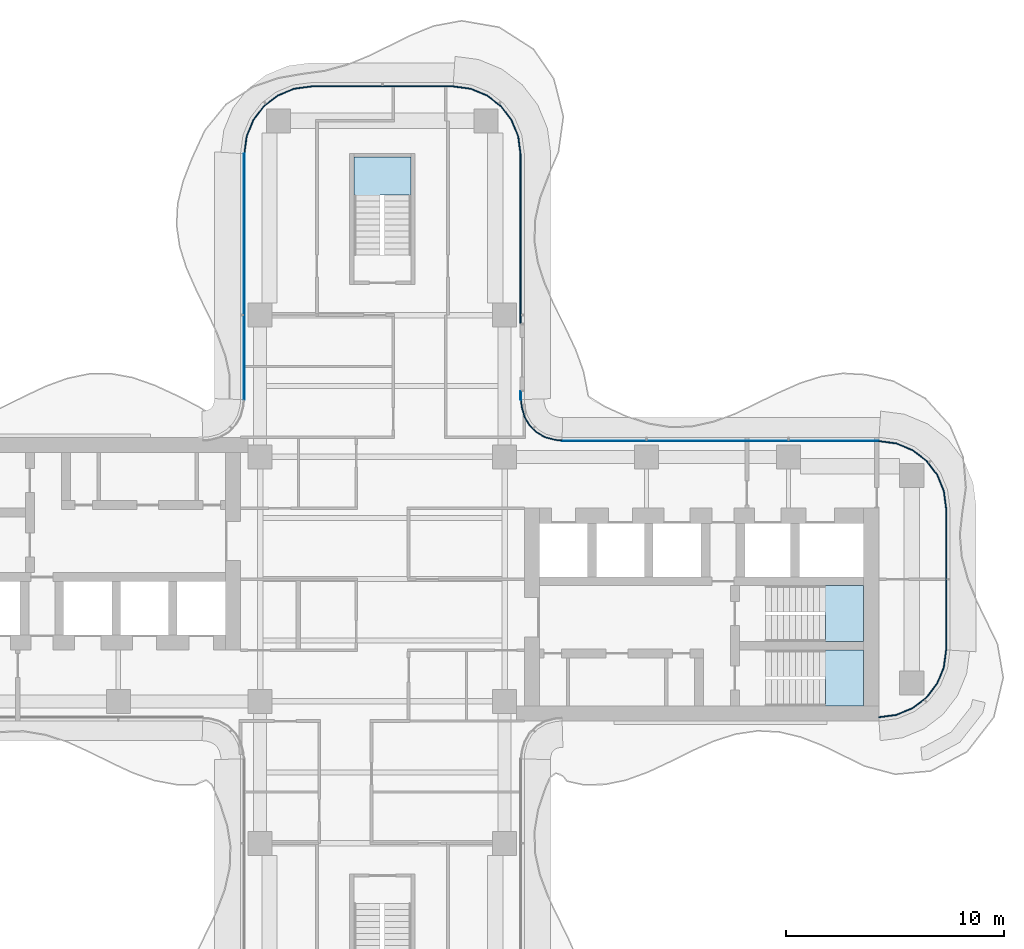
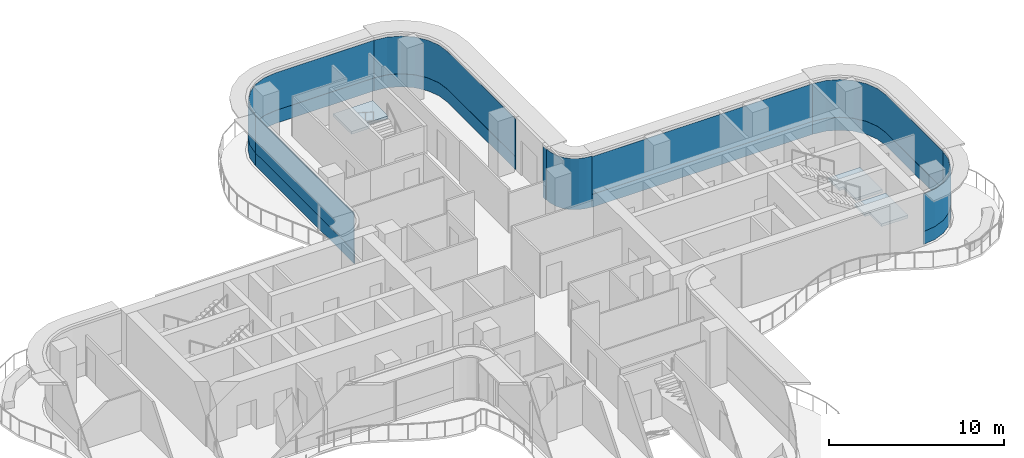
# One storey, part 10 of 16: 15 plates, 3 slabs, 11 elements without a shape of their own.
"""IFC4 building model written with IfcOpenShell, lengths in metres."""

from ifc_helpers import new_model, si_unit, direction, frame, origin, place, context, subcontext, project, spatial, polyline, outline, extrude, source, transform, mapped, material, layer, layer_set, type_object, element, aggregate, save


model = new_model("IFC4")

# Units and contexts
model_context = context("Model", 3, precision=1e-05, world=origin(), true_north=direction((0.0, 1.0)))
body_context = subcontext(model_context, "Body", "Model", "MODEL_VIEW")
ifc_project = project(units=[si_unit("LENGTHUNIT", "METRE"), si_unit("AREAUNIT", "SQUARE_METRE"), si_unit("VOLUMEUNIT", "CUBIC_METRE"), si_unit("PLANEANGLEUNIT", "RADIAN"), si_unit("MASSUNIT", "GRAM", prefix="KILO")], contexts=[model_context])

# Site, building, storey
site_placement = place(None, origin())
site = spatial("IfcSite", under=ifc_project, at=site_placement, CompositionType="ELEMENT")
building_placement = place(site_placement, origin())
building = spatial("IfcBuilding", under=site, at=building_placement, Name="Trellis Farm Tower", CompositionType="ELEMENT")
storey_placement = place(building_placement, frame((0.0, 0.0, 263.60009765625)))
storey = spatial("IfcBuildingStorey", under=building, at=storey_placement, Name="L59", CompositionType="ELEMENT", Elevation=263.60009765625)

# Stair, slab
ifc_material_1 = material(Name="Concrete C50/60", Category="concrete")
stair_type = type_object("IfcStairType", Name="CORE EXIT STAIR 22 RISERS 177 MM", PredefinedType="HALF_TURN_STAIR", material=ifc_material_1)
placement_1 = place(storey_placement, origin())
stair_1 = element("IfcStair", 1, at=placement_1, inside=storey, type_object=stair_type, Name="Exit stair N", PredefinedType="HALF_TURN_STAIR")
ifc_layer_1 = layer(ifc_material_1, 0.18994140625)
ifc_layer_set_1 = layer_set([ifc_layer_1], Name="CORE STAIR LANDING 190 CONCRETE C50/60")
slab_type = type_object("IfcSlabType", Name="CORE STAIR LANDING 190 CONCRETE C50/60", PredefinedType="LANDING", material=ifc_layer_set_1)
shared_shape_1 = source(origin(), body_context, "Body", "SweptSolid", [
    extrude(outline(polyline([(-0.10009765625, 17.27197265625), (-1.300048828125, 17.27197265625), (-1.300048828125, 17.60009765625), (-1.300048828125, 19.35009765625), (1.300048828125, 19.35009765625), (1.300048828125, 17.60009765625), (1.300048828125, 17.590087890625), (0.10009765625, 17.590087890625), (0.10009765625, 17.60009765625), (-0.10009765625, 17.60009765625), (-0.10009765625, 17.27197265625)])), origin(), (0.0, 0.0, 1.0), 0.18994140625),
])
placement_2 = place(storey_placement, frame((0.0, 0.0, 1.760009765625)))
slab_1 = element("IfcSlab", 2, at=placement_2, type_object=slab_type, Name="STN landing 1", PredefinedType="LANDING", context=body_context, shape_type="MappedRepresentation", body=[
    mapped(shared_shape_1, transform((0.0, 0.0, 0.0))),
])
aggregate(stair_1, [slab_1])

stair_2 = element("IfcStair", 3, at=placement_1, inside=storey, type_object=stair_type, Name="Exit stair E1", PredefinedType="HALF_TURN_STAIR")
shared_shape_2 = source(origin(), body_context, "Body", "SweptSolid", [
    extrude(outline(polyline([(20.2900390625, -5.800048828125), (20.2900390625, -4.60009765625), (20.300048828125, -4.60009765625), (20.300048828125, -4.449951171875), (19.971923828125, -4.449951171875), (19.971923828125, -3.25), (20.300048828125, -3.25), (22.050048828125, -3.25), (22.050048828125, -5.800048828125), (20.300048828125, -5.800048828125), (20.2900390625, -5.800048828125)])), origin(), (0.0, 0.0, 1.0), 0.18994140625),
])
slab_2 = element("IfcSlab", 4, at=placement_2, type_object=slab_type, Name="STE1 landing 1", PredefinedType="LANDING", context=body_context, shape_type="MappedRepresentation", body=[
    mapped(shared_shape_2, transform((0.0, 0.0, 0.0))),
])
aggregate(stair_2, [slab_2])

stair_3 = element("IfcStair", 5, at=placement_1, inside=storey, type_object=stair_type, Name="Exit stair E2", PredefinedType="HALF_TURN_STAIR")
shared_shape_3 = source(origin(), body_context, "Body", "SweptSolid", [
    extrude(outline(polyline([(20.2900390625, -2.85009765625), (20.2900390625, -1.64990234375), (20.300048828125, -1.64990234375), (20.300048828125, -1.5), (19.971923828125, -1.5), (19.971923828125, -0.300048828125), (20.300048828125, -0.300048828125), (22.050048828125, -0.300048828125), (22.050048828125, -2.85009765625), (20.300048828125, -2.85009765625), (20.2900390625, -2.85009765625)])), origin(), (0.0, 0.0, 1.0), 0.18994140625),
])
slab_3 = element("IfcSlab", 6, at=placement_2, type_object=slab_type, Name="STE2 landing 1", PredefinedType="LANDING", context=body_context, shape_type="MappedRepresentation", body=[
    mapped(shared_shape_3, transform((0.0, 0.0, 0.0))),
])
aggregate(stair_3, [slab_3])

# Curtain wall, plate
ifc_material_2 = material(Name="Aluminium and glass curtain wall", Category="aluminium")
ifc_layer_2 = layer(ifc_material_2, 0.166015625)
ifc_layer_set_2 = layer_set([ifc_layer_2], Name="WINTER GARDEN CURTAIN WALL CW3")
curtain_wall_type_1 = type_object("IfcCurtainWallType", Name="WINTER GARDEN CURTAIN WALL CW3", PredefinedType="NOTDEFINED", material=ifc_layer_set_2)
curtain_wall_1 = element("IfcCurtainWall", 7, at=placement_1, inside=storey, type_object=curtain_wall_type_1, Name="CW3 003", PredefinedType="NOTDEFINED")
ifc_material_3 = material(Name="Clear insulated glass", Category="glass")
ifc_layer_3 = layer(ifc_material_3, 0.0458984375)
ifc_layer_set_3 = layer_set([ifc_layer_3], Name="CW3 GLASS PANEL 46")
plate_type_1 = type_object("IfcPlateType", Name="CW3 GLASS PANEL 46", PredefinedType="CURTAIN_PANEL", material=ifc_layer_set_3)
shared_shape_4 = source(origin(), body_context, "Body", "SweptSolid", [
    extrude(outline(polyline([(8.2275390625, 6.3798828125), (8.0078125, 6.394287109375), (7.89208984375, 6.40966796875), (7.462158203125, 6.52490234375), (7.070556640625, 6.7509765625), (6.7509765625, 7.070556640625), (6.52490234375, 7.462158203125), (6.40966796875, 7.89208984375), (6.394287109375, 8.0078125), (6.3798828125, 8.2275390625), (6.333984375, 8.22607421875), (6.3486328125, 8.003173828125), (6.364501953125, 7.883056640625), (6.48193359375, 7.4443359375), (6.714111328125, 7.04248046875), (7.04248046875, 6.714111328125), (7.4443359375, 6.48193359375), (7.883056640625, 6.364501953125), (8.003173828125, 6.3486328125), (8.22607421875, 6.333984375), (8.2275390625, 6.3798828125)])), origin(), (0.0, 0.0, 1.0), 3.5498046875),
])
plate_1 = element("IfcPlate", 8, at=placement_1, type_object=plate_type_1, Name="PL3 003", PredefinedType="CURTAIN_PANEL", context=body_context, shape_type="MappedRepresentation", body=[
    mapped(shared_shape_4, transform((0.0, 0.0, 0.0))),
])
aggregate(curtain_wall_1, [plate_1])

# Curtain wall, plates
ifc_layer_4 = layer(ifc_material_2, 0.18994140625)
ifc_layer_set_4 = layer_set([ifc_layer_4], Name="RIBBON CURTAIN WALL CW1")
curtain_wall_type_2 = type_object("IfcCurtainWallType", Name="RIBBON CURTAIN WALL CW1", PredefinedType="NOTDEFINED", material=ifc_layer_set_4)
curtain_wall_2 = element("IfcCurtainWall", 9, at=placement_1, inside=storey, type_object=curtain_wall_type_2, Name="CW1 010", PredefinedType="NOTDEFINED")
ifc_layer_5 = layer(ifc_material_3, 0.0400390625)
ifc_layer_set_5 = layer_set([ifc_layer_5], Name="CW1 GLASS PANEL 40")
plate_type_2 = type_object("IfcPlateType", Name="CW1 GLASS PANEL 40", PredefinedType="CURTAIN_PANEL", material=ifc_layer_set_5)
shared_shape_5 = source(origin(), body_context, "Body", "SweptSolid", [
    extrude(outline(polyline([(3.240234375, 22.60009765625), (-3.240234375, 22.60009765625), (-4.052001953125, 22.4931640625), (-4.79931640625, 22.18359375), (-5.441162109375, 21.691162109375), (-5.93359375, 21.04931640625), (-6.2431640625, 20.302001953125), (-6.35009765625, 19.490234375), (-6.31005859375, 19.487548828125), (-6.2041015625, 20.29150390625), (-5.898681640625, 21.029296875), (-5.41259765625, 21.66259765625), (-4.779296875, 22.148681640625), (-4.04150390625, 22.4541015625), (-3.237548828125, 22.56005859375), (3.237548828125, 22.56005859375), (3.240234375, 22.60009765625)])), origin(), (0.0, 0.0, 1.0), 2.6201171875),
])
placement_3 = place(storey_placement, frame((0.0, 0.0, 0.89990234375)))
plate_2 = element("IfcPlate", 10, at=placement_3, type_object=plate_type_2, Name="PL1 010", PredefinedType="CURTAIN_PANEL", context=body_context, shape_type="MappedRepresentation", body=[
    mapped(shared_shape_5, transform((0.0, 0.0, 0.0))),
])
ifc_material_4 = material(Name="Sandstone faced insulated panel", Category="masonry")
ifc_layer_6 = layer(ifc_material_4, 0.050048828125)
ifc_layer_set_6 = layer_set([ifc_layer_6], Name="CW1 STONE SPANDREL PANEL 50")
plate_type_3 = type_object("IfcPlateType", Name="CW1 STONE SPANDREL PANEL 50", PredefinedType="CURTAIN_PANEL", material=ifc_layer_set_6)
shared_shape_6 = source(origin(), body_context, "Body", "SweptSolid", [
    extrude(outline(polyline([(3.240234375, 22.60009765625), (-3.240234375, 22.60009765625), (-4.052001953125, 22.4931640625), (-4.79931640625, 22.18359375), (-5.441162109375, 21.691162109375), (-5.93359375, 21.04931640625), (-6.2431640625, 20.302001953125), (-6.35009765625, 19.490234375), (-6.300048828125, 19.48681640625), (-6.1943359375, 20.2890625), (-5.889892578125, 21.024169921875), (-5.405517578125, 21.655517578125), (-4.774169921875, 22.139892578125), (-4.0390625, 22.4443359375), (-3.23681640625, 22.550048828125), (3.23681640625, 22.550048828125), (3.240234375, 22.60009765625)])), origin(), (0.0, 0.0, 1.0), 0.89990234375),
])
plate_3 = element("IfcPlate", 11, at=placement_1, type_object=plate_type_3, Name="PS1 010", PredefinedType="CURTAIN_PANEL", context=body_context, shape_type="MappedRepresentation", body=[
    mapped(shared_shape_6, transform((0.0, 0.0, 0.0))),
])
aggregate(curtain_wall_2, [plate_2, plate_3])

curtain_wall_3 = element("IfcCurtainWall", 12, at=placement_1, inside=storey, type_object=curtain_wall_type_2, Name="CW1 011", PredefinedType="NOTDEFINED")
shared_shape_7 = source(origin(), body_context, "Body", "SweptSolid", [
    extrude(outline(polyline([(-6.35009765625, 19.490234375), (-6.35009765625, 8.2265625), (-6.31005859375, 8.22509765625), (-6.31005859375, 19.487548828125), (-6.35009765625, 19.490234375)])), origin(), (0.0, 0.0, 1.0), 2.6201171875),
])
plate_4 = element("IfcPlate", 13, at=placement_3, type_object=plate_type_2, Name="PL1 011", PredefinedType="CURTAIN_PANEL", context=body_context, shape_type="MappedRepresentation", body=[
    mapped(shared_shape_7, transform((0.0, 0.0, 0.0))),
])
shared_shape_8 = source(origin(), body_context, "Body", "SweptSolid", [
    extrude(outline(polyline([(-6.35009765625, 19.490234375), (-6.35009765625, 8.2265625), (-6.300048828125, 8.224853515625), (-6.300048828125, 19.48681640625), (-6.35009765625, 19.490234375)])), origin(), (0.0, 0.0, 1.0), 0.89990234375),
])
plate_5 = element("IfcPlate", 14, at=placement_1, type_object=plate_type_3, Name="PS1 011", PredefinedType="CURTAIN_PANEL", context=body_context, shape_type="MappedRepresentation", body=[
    mapped(shared_shape_8, transform((0.0, 0.0, 0.0))),
])
aggregate(curtain_wall_3, [plate_4, plate_5])

curtain_wall_4 = element("IfcCurtainWall", 15, at=placement_1, inside=storey, type_object=curtain_wall_type_2, Name="CW1 005", PredefinedType="NOTDEFINED")
shared_shape_9 = source(origin(), body_context, "Body", "SweptSolid", [
    extrude(outline(polyline([(22.740234375, -6.35009765625), (23.552001953125, -6.2431640625), (24.29931640625, -5.93359375), (24.941162109375, -5.441162109375), (25.43359375, -4.79931640625), (25.7431640625, -4.052001953125), (25.85009765625, -3.240234375), (25.81005859375, -3.237548828125), (25.7041015625, -4.04150390625), (25.398681640625, -4.779296875), (24.91259765625, -5.41259765625), (24.279296875, -5.898681640625), (23.54150390625, -6.2041015625), (22.737548828125, -6.31005859375), (22.740234375, -6.35009765625)])), origin(), (0.0, 0.0, 1.0), 2.6201171875),
])
plate_6 = element("IfcPlate", 16, at=placement_3, type_object=plate_type_2, Name="PL1 005", PredefinedType="CURTAIN_PANEL", context=body_context, shape_type="MappedRepresentation", body=[
    mapped(shared_shape_9, transform((0.0, 0.0, 0.0))),
])
shared_shape_10 = source(origin(), body_context, "Body", "SweptSolid", [
    extrude(outline(polyline([(22.740234375, -6.35009765625), (23.552001953125, -6.2431640625), (24.29931640625, -5.93359375), (24.941162109375, -5.441162109375), (25.43359375, -4.79931640625), (25.7431640625, -4.052001953125), (25.85009765625, -3.240234375), (25.800048828125, -3.23681640625), (25.6943359375, -4.0390625), (25.389892578125, -4.774169921875), (24.905517578125, -5.405517578125), (24.274169921875, -5.889892578125), (23.5390625, -6.1943359375), (22.73681640625, -6.300048828125), (22.740234375, -6.35009765625)])), origin(), (0.0, 0.0, 1.0), 0.89990234375),
])
plate_7 = element("IfcPlate", 17, at=placement_1, type_object=plate_type_3, Name="PS1 005", PredefinedType="CURTAIN_PANEL", context=body_context, shape_type="MappedRepresentation", body=[
    mapped(shared_shape_10, transform((0.0, 0.0, 0.0))),
])
aggregate(curtain_wall_4, [plate_6, plate_7])

curtain_wall_5 = element("IfcCurtainWall", 18, at=placement_1, inside=storey, type_object=curtain_wall_type_2, Name="CW1 006", PredefinedType="NOTDEFINED")
shared_shape_11 = source(origin(), body_context, "Body", "SweptSolid", [
    extrude(outline(polyline([(25.85009765625, -3.240234375), (25.85009765625, 3.240234375), (25.7431640625, 4.052001953125), (25.43359375, 4.79931640625), (24.941162109375, 5.441162109375), (24.29931640625, 5.93359375), (23.552001953125, 6.2431640625), (22.740234375, 6.35009765625), (22.737548828125, 6.31005859375), (23.54150390625, 6.2041015625), (24.279296875, 5.898681640625), (24.91259765625, 5.41259765625), (25.398681640625, 4.779296875), (25.7041015625, 4.04150390625), (25.81005859375, 3.237548828125), (25.81005859375, -3.237548828125), (25.85009765625, -3.240234375)])), origin(), (0.0, 0.0, 1.0), 2.6201171875),
])
plate_8 = element("IfcPlate", 19, at=placement_3, type_object=plate_type_2, Name="PL1 006", PredefinedType="CURTAIN_PANEL", context=body_context, shape_type="MappedRepresentation", body=[
    mapped(shared_shape_11, transform((0.0, 0.0, 0.0))),
])
shared_shape_12 = source(origin(), body_context, "Body", "SweptSolid", [
    extrude(outline(polyline([(25.85009765625, -3.240234375), (25.85009765625, 3.240234375), (25.7431640625, 4.052001953125), (25.43359375, 4.79931640625), (24.941162109375, 5.441162109375), (24.29931640625, 5.93359375), (23.552001953125, 6.2431640625), (22.740234375, 6.35009765625), (22.73681640625, 6.300048828125), (23.5390625, 6.1943359375), (24.274169921875, 5.889892578125), (24.905517578125, 5.405517578125), (25.389892578125, 4.774169921875), (25.6943359375, 4.0390625), (25.800048828125, 3.23681640625), (25.800048828125, -3.23681640625), (25.85009765625, -3.240234375)])), origin(), (0.0, 0.0, 1.0), 0.89990234375),
])
plate_9 = element("IfcPlate", 20, at=placement_1, type_object=plate_type_3, Name="PS1 006", PredefinedType="CURTAIN_PANEL", context=body_context, shape_type="MappedRepresentation", body=[
    mapped(shared_shape_12, transform((0.0, 0.0, 0.0))),
])
aggregate(curtain_wall_5, [plate_8, plate_9])

curtain_wall_6 = element("IfcCurtainWall", 21, at=placement_1, inside=storey, type_object=curtain_wall_type_2, Name="CW1 007", PredefinedType="NOTDEFINED")
shared_shape_13 = source(origin(), body_context, "Body", "SweptSolid", [
    extrude(outline(polyline([(22.740234375, 6.35009765625), (8.2265625, 6.35009765625), (8.22509765625, 6.31005859375), (22.737548828125, 6.31005859375), (22.740234375, 6.35009765625)])), origin(), (0.0, 0.0, 1.0), 2.6201171875),
])
plate_10 = element("IfcPlate", 22, at=placement_3, type_object=plate_type_2, Name="PL1 007", PredefinedType="CURTAIN_PANEL", context=body_context, shape_type="MappedRepresentation", body=[
    mapped(shared_shape_13, transform((0.0, 0.0, 0.0))),
])
shared_shape_14 = source(origin(), body_context, "Body", "SweptSolid", [
    extrude(outline(polyline([(22.740234375, 6.35009765625), (8.2265625, 6.35009765625), (8.224853515625, 6.300048828125), (22.73681640625, 6.300048828125), (22.740234375, 6.35009765625)])), origin(), (0.0, 0.0, 1.0), 0.89990234375),
])
plate_11 = element("IfcPlate", 23, at=placement_1, type_object=plate_type_3, Name="PS1 007", PredefinedType="CURTAIN_PANEL", context=body_context, shape_type="MappedRepresentation", body=[
    mapped(shared_shape_14, transform((0.0, 0.0, 0.0))),
])
aggregate(curtain_wall_6, [plate_10, plate_11])

curtain_wall_7 = element("IfcCurtainWall", 24, at=placement_1, inside=storey, type_object=curtain_wall_type_2, Name="CW1 008", PredefinedType="NOTDEFINED")
shared_shape_15 = source(origin(), body_context, "Body", "SweptSolid", [
    extrude(outline(polyline([(6.35009765625, 8.2265625), (6.35009765625, 8.605712890625), (6.31005859375, 8.605712890625), (6.31005859375, 8.22509765625), (6.35009765625, 8.2265625)])), origin(), (0.0, 0.0, 1.0), 2.6201171875),
])
plate_12 = element("IfcPlate", 25, at=placement_3, type_object=plate_type_2, Name="PL1 008", PredefinedType="CURTAIN_PANEL", context=body_context, shape_type="MappedRepresentation", body=[
    mapped(shared_shape_15, transform((0.0, 0.0, 0.0))),
])
shared_shape_16 = source(origin(), body_context, "Body", "SweptSolid", [
    extrude(outline(polyline([(6.35009765625, 8.2265625), (6.35009765625, 8.605712890625), (6.300048828125, 8.605712890625), (6.300048828125, 8.224853515625), (6.35009765625, 8.2265625)])), origin(), (0.0, 0.0, 1.0), 0.89990234375),
])
plate_13 = element("IfcPlate", 26, at=placement_1, type_object=plate_type_3, Name="PS1 008", PredefinedType="CURTAIN_PANEL", context=body_context, shape_type="MappedRepresentation", body=[
    mapped(shared_shape_16, transform((0.0, 0.0, 0.0))),
])
aggregate(curtain_wall_7, [plate_12, plate_13])

curtain_wall_8 = element("IfcCurtainWall", 27, at=placement_1, inside=storey, type_object=curtain_wall_type_2, Name="CW1 009", PredefinedType="NOTDEFINED")
shared_shape_17 = source(origin(), body_context, "Body", "SweptSolid", [
    extrude(outline(polyline([(6.35009765625, 11.7255859375), (6.35009765625, 19.490234375), (6.2431640625, 20.302001953125), (5.93359375, 21.04931640625), (5.441162109375, 21.691162109375), (4.79931640625, 22.18359375), (4.052001953125, 22.4931640625), (3.240234375, 22.60009765625), (3.237548828125, 22.56005859375), (4.04150390625, 22.4541015625), (4.779296875, 22.148681640625), (5.41259765625, 21.66259765625), (5.898681640625, 21.029296875), (6.2041015625, 20.29150390625), (6.31005859375, 19.487548828125), (6.31005859375, 11.7255859375), (6.35009765625, 11.7255859375)])), origin(), (0.0, 0.0, 1.0), 2.6201171875),
])
plate_14 = element("IfcPlate", 28, at=placement_3, type_object=plate_type_2, Name="PL1 009", PredefinedType="CURTAIN_PANEL", context=body_context, shape_type="MappedRepresentation", body=[
    mapped(shared_shape_17, transform((0.0, 0.0, 0.0))),
])
shared_shape_18 = source(origin(), body_context, "Body", "SweptSolid", [
    extrude(outline(polyline([(6.35009765625, 11.7255859375), (6.35009765625, 19.490234375), (6.2431640625, 20.302001953125), (5.93359375, 21.04931640625), (5.441162109375, 21.691162109375), (4.79931640625, 22.18359375), (4.052001953125, 22.4931640625), (3.240234375, 22.60009765625), (3.23681640625, 22.550048828125), (4.0390625, 22.4443359375), (4.774169921875, 22.139892578125), (5.405517578125, 21.655517578125), (5.889892578125, 21.024169921875), (6.1943359375, 20.2890625), (6.300048828125, 19.48681640625), (6.300048828125, 11.7255859375), (6.35009765625, 11.7255859375)])), origin(), (0.0, 0.0, 1.0), 0.89990234375),
])
plate_15 = element("IfcPlate", 29, at=placement_1, type_object=plate_type_3, Name="PS1 009", PredefinedType="CURTAIN_PANEL", context=body_context, shape_type="MappedRepresentation", body=[
    mapped(shared_shape_18, transform((0.0, 0.0, 0.0))),
])
aggregate(curtain_wall_8, [plate_14, plate_15])

save(model, "model.ifc")
